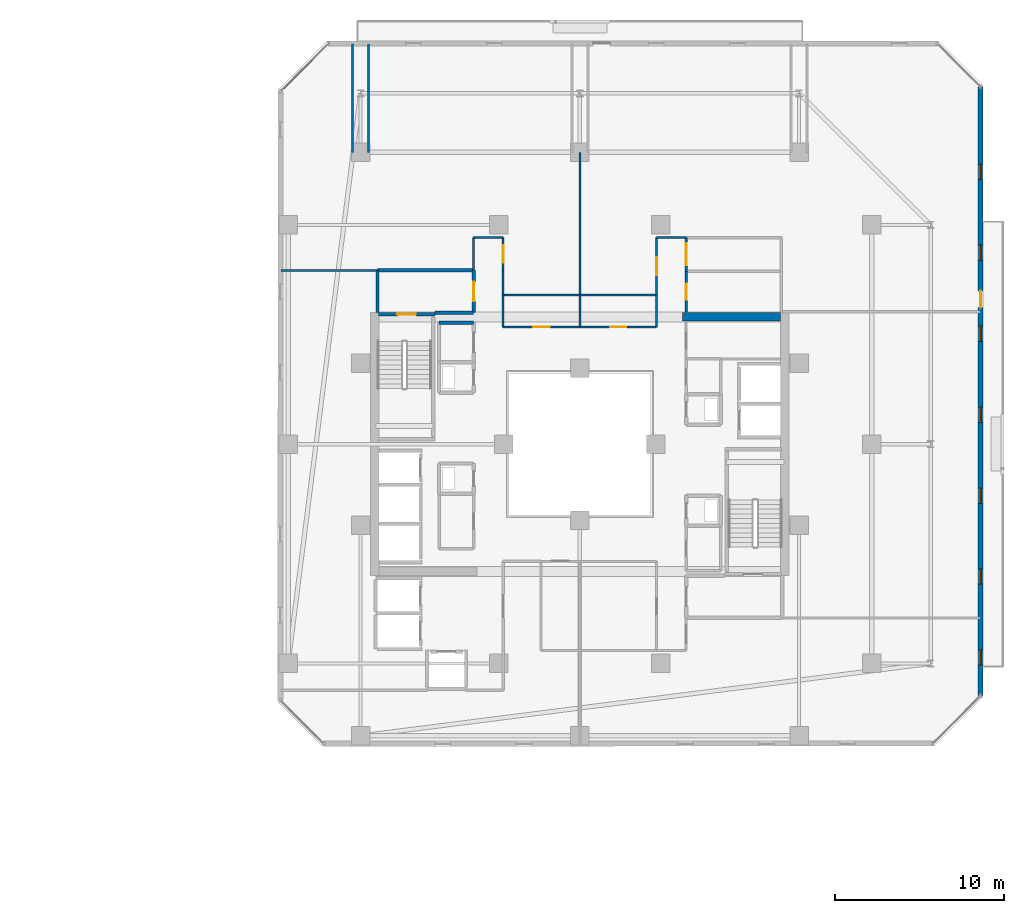
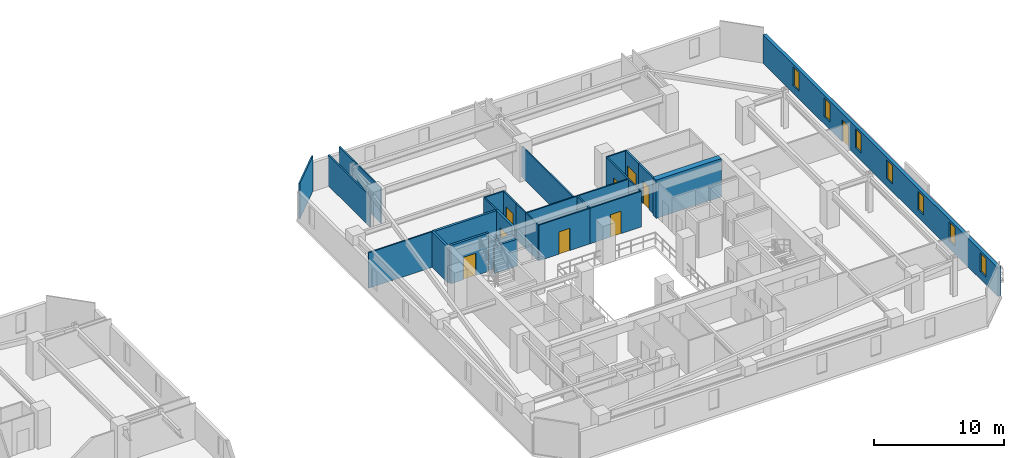
# One storey, part 25 of 33: 28 walls, 9 doors, 7 windows, 16 openings.
"""IFC4 building model written with IfcOpenShell, lengths in metres."""

from ifc_helpers import new_model, si_unit, direction, frame, frame_2d, origin, place, context, subcontext, project, spatial, rectangle, extrude, material, layer, layer_set, type_object, element, fill, save


model = new_model("IFC4")

# Units and contexts
model_context = context("Model", 3, precision=1e-05, world=origin(), true_north=direction((0.0, 1.0)))
body_context = subcontext(model_context, "Body", "Model", "MODEL_VIEW")
ifc_project = project(units=[si_unit("LENGTHUNIT", "METRE"), si_unit("AREAUNIT", "SQUARE_METRE"), si_unit("VOLUMEUNIT", "CUBIC_METRE"), si_unit("PLANEANGLEUNIT", "RADIAN"), si_unit("MASSUNIT", "GRAM", prefix="KILO")], contexts=[model_context])

# Site, building, storey
site_placement = place(None, origin())
site = spatial("IfcSite", under=ifc_project, at=site_placement, CompositionType="ELEMENT")
building_placement = place(site_placement, origin())
building = spatial("IfcBuilding", under=site, at=building_placement, Name="Thornwick Lancets Civic Towers", CompositionType="ELEMENT")
storey_placement = place(building_placement, frame((0.0, 0.0, 167.10009765625)))
storey = spatial("IfcBuildingStorey", under=building, at=storey_placement, Name="L44", CompositionType="ELEMENT", Elevation=167.10009765625)

# Wall
ifc_material_1 = material(Name="Concrete blockwork C40/50", Category="masonry")
ifc_layer_1 = layer(ifc_material_1, 0.199951171875, Name="Concrete blockwork C40/50")
ifc_layer_set_1 = layer_set([ifc_layer_1], Name="Concrete blockwork C40/50")
wall_type_1 = type_object("IfcWallType", Name="WALL_COMP_200", PredefinedType="STANDARD", material=ifc_layer_set_1)
wall_1_placement = place(storey_placement, frame((79.89990234375, 34.800048828125, 0.0), z_axis=(0.0, 0.0, 1.0), x_axis=(1.0, 0.0, 0.0)))
element("IfcWall", 1, at=wall_1_placement, inside=storey, type_object=wall_type_1, Name="L44 Partition L44-B-FFLOB2 E1", PredefinedType="STANDARD", context=body_context, shape_type="SweptSolid", body=[
    extrude(rectangle(XDim=2.300048828125, YDim=0.199951171875, at=frame_2d((1.14990234375, 0.0))), origin(), (0.0, 0.0, 1.0), 2.544921875),
])

# Wall, opening, door
wall_2_placement = place(storey_placement, frame((82.199951171875, 34.800048828125, 0.0), z_axis=(0.0, 0.0, 1.0), x_axis=(0.0, 1.0, 0.0)))
wall_2 = element("IfcWall", 2, at=wall_2_placement, inside=storey, type_object=wall_type_1, Name="L44 Partition L44-B-FFLOB2 E2", PredefinedType="STANDARD", context=body_context, shape_type="SweptSolid", body=[
    extrude(rectangle(XDim=2.5, YDim=0.199951171875, at=frame_2d((1.25, 0.0))), origin(), (0.0, 0.0, 1.0), 3.33984375),
])
opening_1_placement = place(wall_2_placement, frame((0.675048828125, 0.0, 0.0)))
opening_1 = element("IfcOpeningElement", 3, at=opening_1_placement, cuts=wall_2, Name="Opening D-L44-1969", PredefinedType="OPENING", context=body_context, shape_type="SweptSolid", body=[
    extrude(rectangle(XDim=1.14990234375, YDim=2.10009765625, at=frame_2d((0.574951171875, 1.050048828125))), frame((0.0, 0.10986328125, 0.0), z_axis=(0.0, -1.0, 0.0), x_axis=(1.0, 0.0, 0.0)), (0.0, 0.0, 1.0), 0.219970703125),
])
ifc_material_2 = material(Name="Glazed fire-resisting steel", Category="steel")
door_type_1 = type_object("IfcDoorType", Name="DOOR_LOBBY_FD60", OperationType="NOTDEFINED", PredefinedType="DOOR", material=ifc_material_2)
door_1_placement = place(opening_1_placement, origin())
door_1 = element("IfcDoor", 4, at=door_1_placement, inside=storey, type_object=door_type_1, Name="L44 West Firefighting Lobby 2 Door", OperationType="SINGLE_SWING_RIGHT", OverallHeight=2.10009765625, OverallWidth=1.14990234375, PredefinedType="DOOR", context=body_context, shape_type="SweptSolid", body=[
    extrude(rectangle(XDim=1.14990234375, YDim=2.10009765625, at=frame_2d((0.574951171875, 1.050048828125))), frame((0.0, 0.02490234375, 0.0), z_axis=(0.0, -1.0, 0.0), x_axis=(1.0, 0.0, 0.0)), (0.0, 0.0, 1.0), 0.050048828125),
])
fill(opening_1, door_1)

# Walls
wall_3_placement = place(storey_placement, frame((82.199951171875, 37.300048828125, 0.0), z_axis=(0.0, 0.0, 1.0), x_axis=(-1.0, 0.0, 0.0)))
element("IfcWall", 5, at=wall_3_placement, inside=storey, type_object=wall_type_1, Name="L44 Partition L44-B-FFLOB2 E3", PredefinedType="STANDARD", context=body_context, shape_type="SweptSolid", body=[
    extrude(rectangle(XDim=5.699951171875, YDim=0.199951171875, at=frame_2d((2.85009765625, 0.0))), origin(), (0.0, 0.0, 1.0), 3.33984375),
])
wall_4_placement = place(storey_placement, frame((76.5, 37.300048828125, 0.0), z_axis=(0.0, 0.0, 1.0), x_axis=(0.0, -1.0, 0.0)))
element("IfcWall", 6, at=wall_4_placement, inside=storey, type_object=wall_type_1, Name="L44 Partition L44-B-FFLOB2 E4", PredefinedType="STANDARD", context=body_context, shape_type="SweptSolid", body=[
    extrude(rectangle(XDim=2.5, YDim=0.199951171875, at=frame_2d((1.25, 0.0))), origin(), (0.0, 0.0, 1.0), 3.33984375),
])
wall_5_placement = place(storey_placement, frame((80.14990234375, 34.199951171875, 0.0), z_axis=(0.0, 0.0, 1.0), x_axis=(1.0, 0.0, 0.0)))
element("IfcWall", 7, at=wall_5_placement, inside=storey, type_object=wall_type_1, Name="L44 Partition L44-B-STR E2", PredefinedType="STANDARD", context=body_context, shape_type="SweptSolid", body=[
    extrude(rectangle(XDim=2.050048828125, YDim=0.199951171875, at=frame_2d((1.02490234375, 0.0))), origin(), (0.0, 0.0, 1.0), 2.544921875),
])
ifc_material_3 = material(Name="Concrete C50/60", Category="concrete")
ifc_layer_2 = layer(ifc_material_3, 0.5, Name="Concrete C50/60")
ifc_layer_set_2 = layer_set([ifc_layer_2], Name="Concrete C50/60")
wall_type_2 = type_object("IfcWallType", Name="WALL_CORE_500", PredefinedType="SHEAR", material=ifc_layer_set_2)
wall_6_placement = place(storey_placement, frame((94.60009765625, 34.550048828125, 0.0), z_axis=(0.0, 0.0, 1.0), x_axis=(1.0, 0.0, 0.0)))
element("IfcWall", 8, at=wall_6_placement, inside=storey, type_object=wall_type_2, Name="L44 Split Core B1 Shear Wall N", PredefinedType="SHEAR", context=body_context, shape_type="SweptSolid", body=[
    extrude(rectangle(XDim=5.7998046875, YDim=0.5, at=frame_2d((2.89990234375, 0.0))), origin(), (0.0, 0.0, 1.0), 3.599853515625),
])

# Wall, openings, door, windows
ifc_material_4 = material(Name="Insulated russet terracotta rainscreen on concrete C40/50", Category="masonry")
ifc_layer_3 = layer(ifc_material_4, 0.300048828125, Name="Insulated russet terracotta rainscreen on concrete C40/50")
ifc_layer_set_3 = layer_set([ifc_layer_3], Name="Insulated russet terracotta rainscreen on concrete C40/50")
wall_type_3 = type_object("IfcWallType", Name="WALL_EXT_RUSSET_300", PredefinedType="STANDARD", material=ifc_layer_set_3)
wall_7_placement = place(storey_placement, frame((112.263671875, 12.094482421875, 0.0), z_axis=(0.0, 0.0, 1.0), x_axis=(2.7061402e-05, 0.999999999634, 0.0)))
wall_7 = element("IfcWall", 9, at=wall_7_placement, inside=storey, type_object=wall_type_3, Name="L44 Tower B Terracotta Facade Wall E2", PredefinedType="STANDARD", context=body_context, shape_type="SweptSolid", body=[
    extrude(rectangle(XDim=36.0869140625, YDim=0.300048828125, at=frame_2d((18.04345703125, 0.0))), origin(), (0.0, 0.0, 1.0), 2.699951171875),
])
opening_2_placement = place(wall_7_placement, frame((22.993408203125, 0.0, 0.0)))
opening_2 = element("IfcOpeningElement", 10, at=opening_2_placement, cuts=wall_7, Name="Opening D-BL-L44-BE", PredefinedType="OPENING", context=body_context, shape_type="SweptSolid", body=[
    extrude(rectangle(XDim=1.0, YDim=2.080078125, at=frame_2d((0.5, 1.0400390625))), frame((0.0, 0.16015625, 0.0), z_axis=(0.0, -1.0, 0.0), x_axis=(1.0, 0.0, 0.0)), (0.0, 0.0, 1.0), 0.320068359375),
])
opening_3_placement = place(wall_7_placement, frame((1.800048828125, 0.0, 0.719970703125)))
opening_3 = element("IfcOpeningElement", 11, at=opening_3_placement, cuts=wall_7, Name="Opening WL-01", PredefinedType="OPENING", context=body_context, shape_type="SweptSolid", body=[
    extrude(rectangle(XDim=0.89990234375, YDim=1.75, at=frame_2d((0.449951171875, 0.875))), frame((0.0, 0.16015625, 0.0), z_axis=(0.0, -1.0, 0.0), x_axis=(1.0, 0.0, 0.0)), (0.0, 0.0, 1.0), 0.320068359375),
])
opening_4_placement = place(wall_7_placement, frame((6.60009765625, 0.0, 0.719970703125)))
opening_4 = element("IfcOpeningElement", 12, at=opening_4_placement, cuts=wall_7, Name="Opening WL-01", PredefinedType="OPENING", context=body_context, shape_type="SweptSolid", body=[
    extrude(rectangle(XDim=0.89990234375, YDim=1.75, at=frame_2d((0.449951171875, 0.875))), frame((0.0, 0.16015625, 0.0), z_axis=(0.0, -1.0, 0.0), x_axis=(1.0, 0.0, 0.0)), (0.0, 0.0, 1.0), 0.320068359375),
])
opening_5_placement = place(wall_7_placement, frame((11.39990234375, 0.0, 0.719970703125)))
opening_5 = element("IfcOpeningElement", 13, at=opening_5_placement, cuts=wall_7, Name="Opening WL-01", PredefinedType="OPENING", context=body_context, shape_type="SweptSolid", body=[
    extrude(rectangle(XDim=0.89990234375, YDim=1.75, at=frame_2d((0.449951171875, 0.875))), frame((0.0, 0.16015625, 0.0), z_axis=(0.0, -1.0, 0.0), x_axis=(1.0, 0.0, 0.0)), (0.0, 0.0, 1.0), 0.320068359375),
])
opening_6_placement = place(wall_7_placement, frame((16.199951171875, 0.0, 0.719970703125)))
opening_6 = element("IfcOpeningElement", 14, at=opening_6_placement, cuts=wall_7, Name="Opening WL-01", PredefinedType="OPENING", context=body_context, shape_type="SweptSolid", body=[
    extrude(rectangle(XDim=0.89990234375, YDim=1.75, at=frame_2d((0.449951171875, 0.875))), frame((0.0, 0.16015625, 0.0), z_axis=(0.0, -1.0, 0.0), x_axis=(1.0, 0.0, 0.0)), (0.0, 0.0, 1.0), 0.320068359375),
])
opening_7_placement = place(wall_7_placement, frame((21.0, 0.0, 0.719970703125)))
opening_7 = element("IfcOpeningElement", 15, at=opening_7_placement, cuts=wall_7, Name="Opening WL-01", PredefinedType="OPENING", context=body_context, shape_type="SweptSolid", body=[
    extrude(rectangle(XDim=0.89990234375, YDim=1.75, at=frame_2d((0.449951171875, 0.875))), frame((0.0, 0.16015625, 0.0), z_axis=(0.0, -1.0, 0.0), x_axis=(1.0, 0.0, 0.0)), (0.0, 0.0, 1.0), 0.320068359375),
])
opening_8_placement = place(wall_7_placement, frame((25.800048828125, 0.0, 0.719970703125)))
opening_8 = element("IfcOpeningElement", 16, at=opening_8_placement, cuts=wall_7, Name="Opening WL-01", PredefinedType="OPENING", context=body_context, shape_type="SweptSolid", body=[
    extrude(rectangle(XDim=0.89990234375, YDim=1.75, at=frame_2d((0.449951171875, 0.875))), frame((0.0, 0.16015625, 0.0), z_axis=(0.0, -1.0, 0.0), x_axis=(1.0, 0.0, 0.0)), (0.0, 0.0, 1.0), 0.320068359375),
])
opening_9_placement = place(wall_7_placement, frame((30.60009765625, 0.0, 0.719970703125)))
opening_9 = element("IfcOpeningElement", 17, at=opening_9_placement, cuts=wall_7, Name="Opening WL-01", PredefinedType="OPENING", context=body_context, shape_type="SweptSolid", body=[
    extrude(rectangle(XDim=0.89990234375, YDim=1.75, at=frame_2d((0.449951171875, 0.875))), frame((0.0, 0.16015625, 0.0), z_axis=(0.0, -1.0, 0.0), x_axis=(1.0, 0.0, 0.0)), (0.0, 0.0, 1.0), 0.320068359375),
])
ifc_material_5 = material(Name="Thermally broken glazed loggia doorset")
door_type_2 = type_object("IfcDoorType", Name="DOOR_BALC_1000", OperationType="NOTDEFINED", PredefinedType="DOOR", material=ifc_material_5)
door_2_placement = place(opening_2_placement, origin())
door_2 = element("IfcDoor", 18, at=door_2_placement, inside=storey, type_object=door_type_2, Name="L44 Tower B Loggia Balcony Door E", OperationType="SINGLE_SWING_LEFT", OverallHeight=2.080078125, OverallWidth=1.0, PredefinedType="DOOR", context=body_context, shape_type="SweptSolid", body=[
    extrude(rectangle(XDim=1.0, YDim=2.080078125, at=frame_2d((0.5, 1.0400390625))), frame((0.0, 0.02490234375, 0.0), z_axis=(0.0, -1.0, 0.0), x_axis=(1.0, 0.0, 0.0)), (0.0, 0.0, 1.0), 0.050048828125),
])
fill(opening_2, door_2)
ifc_material_6 = material(Name="Clear low-e double glazing in bronze frame", Category="glass")
window_type = type_object("IfcWindowType", Name="WIN_LANCET_900", PartitioningType="SINGLE_PANEL", PredefinedType="WINDOW", material=ifc_material_6)
window_1_placement = place(opening_3_placement, origin())
window_1 = element("IfcWindow", 19, at=window_1_placement, inside=storey, type_object=window_type, Name="L44 Tower B Staggered Lancet Window E2-1", OverallHeight=1.75, OverallWidth=0.89990234375, PartitioningType="SINGLE_PANEL", PredefinedType="WINDOW", context=body_context, shape_type="SweptSolid", body=[
    extrude(rectangle(XDim=0.89990234375, YDim=1.75, at=frame_2d((0.449951171875, 0.875))), frame((0.0, 0.030029296875, 0.0), z_axis=(0.0, -1.0, 0.0), x_axis=(1.0, 0.0, 0.0)), (0.0, 0.0, 1.0), 0.06005859375),
])
fill(opening_3, window_1)
window_2_placement = place(opening_4_placement, origin())
window_2 = element("IfcWindow", 20, at=window_2_placement, inside=storey, type_object=window_type, Name="L44 Tower B Staggered Lancet Window E2-2", OverallHeight=1.75, OverallWidth=0.89990234375, PartitioningType="SINGLE_PANEL", PredefinedType="WINDOW", context=body_context, shape_type="SweptSolid", body=[
    extrude(rectangle(XDim=0.89990234375, YDim=1.75, at=frame_2d((0.449951171875, 0.875))), frame((0.0, 0.030029296875, 0.0), z_axis=(0.0, -1.0, 0.0), x_axis=(1.0, 0.0, 0.0)), (0.0, 0.0, 1.0), 0.06005859375),
])
fill(opening_4, window_2)
window_3_placement = place(opening_5_placement, origin())
window_3 = element("IfcWindow", 21, at=window_3_placement, inside=storey, type_object=window_type, Name="L44 Tower B Staggered Lancet Window E2-3", OverallHeight=1.75, OverallWidth=0.89990234375, PartitioningType="SINGLE_PANEL", PredefinedType="WINDOW", context=body_context, shape_type="SweptSolid", body=[
    extrude(rectangle(XDim=0.89990234375, YDim=1.75, at=frame_2d((0.449951171875, 0.875))), frame((0.0, 0.030029296875, 0.0), z_axis=(0.0, -1.0, 0.0), x_axis=(1.0, 0.0, 0.0)), (0.0, 0.0, 1.0), 0.06005859375),
])
fill(opening_5, window_3)
window_4_placement = place(opening_6_placement, origin())
window_4 = element("IfcWindow", 22, at=window_4_placement, inside=storey, type_object=window_type, Name="L44 Tower B Staggered Lancet Window E2-4", OverallHeight=1.75, OverallWidth=0.89990234375, PartitioningType="SINGLE_PANEL", PredefinedType="WINDOW", context=body_context, shape_type="SweptSolid", body=[
    extrude(rectangle(XDim=0.89990234375, YDim=1.75, at=frame_2d((0.449951171875, 0.875))), frame((0.0, 0.030029296875, 0.0), z_axis=(0.0, -1.0, 0.0), x_axis=(1.0, 0.0, 0.0)), (0.0, 0.0, 1.0), 0.06005859375),
])
fill(opening_6, window_4)
window_5_placement = place(opening_7_placement, origin())
window_5 = element("IfcWindow", 23, at=window_5_placement, inside=storey, type_object=window_type, Name="L44 Tower B Staggered Lancet Window E2-5", OverallHeight=1.75, OverallWidth=0.89990234375, PartitioningType="SINGLE_PANEL", PredefinedType="WINDOW", context=body_context, shape_type="SweptSolid", body=[
    extrude(rectangle(XDim=0.89990234375, YDim=1.75, at=frame_2d((0.449951171875, 0.875))), frame((0.0, 0.030029296875, 0.0), z_axis=(0.0, -1.0, 0.0), x_axis=(1.0, 0.0, 0.0)), (0.0, 0.0, 1.0), 0.06005859375),
])
fill(opening_7, window_5)
window_6_placement = place(opening_8_placement, origin())
window_6 = element("IfcWindow", 24, at=window_6_placement, inside=storey, type_object=window_type, Name="L44 Tower B Staggered Lancet Window E2-6", OverallHeight=1.75, OverallWidth=0.89990234375, PartitioningType="SINGLE_PANEL", PredefinedType="WINDOW", context=body_context, shape_type="SweptSolid", body=[
    extrude(rectangle(XDim=0.89990234375, YDim=1.75, at=frame_2d((0.449951171875, 0.875))), frame((0.0, 0.030029296875, 0.0), z_axis=(0.0, -1.0, 0.0), x_axis=(1.0, 0.0, 0.0)), (0.0, 0.0, 1.0), 0.06005859375),
])
fill(opening_8, window_6)
window_7_placement = place(opening_9_placement, origin())
window_7 = element("IfcWindow", 25, at=window_7_placement, inside=storey, type_object=window_type, Name="L44 Tower B Staggered Lancet Window E2-7", OverallHeight=1.75, OverallWidth=0.89990234375, PartitioningType="SINGLE_PANEL", PredefinedType="WINDOW", context=body_context, shape_type="SweptSolid", body=[
    extrude(rectangle(XDim=0.89990234375, YDim=1.75, at=frame_2d((0.449951171875, 0.875))), frame((0.0, 0.030029296875, 0.0), z_axis=(0.0, -1.0, 0.0), x_axis=(1.0, 0.0, 0.0)), (0.0, 0.0, 1.0), 0.06005859375),
])
fill(opening_9, window_7)

# Walls
ifc_material_7 = material(Name="Acoustic gypsum board partition")
ifc_layer_4 = layer(ifc_material_7, 0.1201171875, Name="Acoustic gypsum board partition")
ifc_layer_set_4 = layer_set([ifc_layer_4], Name="Acoustic gypsum board partition")
wall_type_4 = type_object("IfcWallType", Name="WALL_PART_120", PredefinedType="PARTITIONING", material=ifc_layer_set_4)
wall_8_placement = place(storey_placement, frame((88.5, 33.949951171875, 0.0), z_axis=(0.0, 0.0, 1.0), x_axis=(0.0, 1.0, 0.0)))
element("IfcWall", 26, at=wall_8_placement, inside=storey, type_object=wall_type_4, Name="L44 Partition L44-B-E1 E1", PredefinedType="PARTITIONING", context=body_context, shape_type="SweptSolid", body=[
    extrude(rectangle(XDim=1.900146484375, YDim=0.1201171875, at=frame_2d((0.9501953125, 0.0))), origin(), (0.0, 0.0, 1.0), 3.33984375),
])
wall_9_placement = place(storey_placement, frame((88.5, 35.85009765625, 0.0), z_axis=(0.0, 0.0, 1.0), x_axis=(1.0, 0.0, 0.0)))
element("IfcWall", 27, at=wall_9_placement, inside=storey, type_object=wall_type_4, Name="L44 Partition L44-B-E1 E2", PredefinedType="PARTITIONING", context=body_context, shape_type="SweptSolid", body=[
    extrude(rectangle(XDim=4.550048828125, YDim=0.1201171875, at=frame_2d((2.27490234375, 0.0))), origin(), (0.0, 0.0, 1.0), 3.33984375),
])
wall_10_placement = place(storey_placement, frame((93.050048828125, 35.85009765625, 0.0), z_axis=(0.0, 0.0, 1.0), x_axis=(0.0, -1.0, 0.0)))
element("IfcWall", 28, at=wall_10_placement, inside=storey, type_object=wall_type_4, Name="L44 Partition L44-B-E1 E3", PredefinedType="PARTITIONING", context=body_context, shape_type="SweptSolid", body=[
    extrude(rectangle(XDim=1.900146484375, YDim=0.1201171875, at=frame_2d((0.9501953125, 0.0))), origin(), (0.0, 0.0, 1.0), 3.33984375),
])

# Wall, opening, door
wall_11_placement = place(storey_placement, frame((93.050048828125, 33.949951171875, 0.0), z_axis=(0.0, 0.0, 1.0), x_axis=(-1.0, 0.0, 0.0)))
wall_11 = element("IfcWall", 29, at=wall_11_placement, inside=storey, type_object=wall_type_4, Name="L44 Partition L44-B-E1 E4", PredefinedType="PARTITIONING", context=body_context, shape_type="SweptSolid", body=[
    extrude(rectangle(XDim=4.550048828125, YDim=0.1201171875, at=frame_2d((2.27490234375, 0.0))), origin(), (0.0, 0.0, 1.0), 3.33984375),
])
opening_10_placement = place(wall_11_placement, frame((1.800048828125, 0.0, 0.0)))
opening_10 = element("IfcOpeningElement", 30, at=opening_10_placement, cuts=wall_11, Name="Opening D-L44-1995", PredefinedType="OPENING", context=body_context, shape_type="SweptSolid", body=[
    extrude(rectangle(XDim=0.949951171875, YDim=2.10009765625, at=frame_2d((0.47509765625, 1.050048828125))), frame((0.0, 0.070068359375, 0.0), z_axis=(0.0, -1.0, 0.0), x_axis=(1.0, 0.0, 0.0)), (0.0, 0.0, 1.0), 0.14013671875),
])
ifc_material_8 = material(Name="European oak acoustic doorset")
door_type_3 = type_object("IfcDoorType", Name="DOOR_OFFICE_950", OperationType="NOTDEFINED", PredefinedType="DOOR", material=ifc_material_8)
door_3_placement = place(opening_10_placement, origin())
door_3 = element("IfcDoor", 31, at=door_3_placement, inside=storey, type_object=door_type_3, Name="L44 Tower B Visitors Reception and Waiting Door", OperationType="SINGLE_SWING_RIGHT", OverallHeight=2.10009765625, OverallWidth=0.949951171875, PredefinedType="DOOR", context=body_context, shape_type="SweptSolid", body=[
    extrude(rectangle(XDim=0.949951171875, YDim=2.10009765625, at=frame_2d((0.47509765625, 1.050048828125))), frame((0.0, 0.02490234375, 0.0), z_axis=(0.0, -1.0, 0.0), x_axis=(1.0, 0.0, 0.0)), (0.0, 0.0, 1.0), 0.050048828125),
])
fill(opening_10, door_3)

# Wall
wall_12_placement = place(storey_placement, frame((94.800048828125, 39.25, 0.0), z_axis=(0.0, 0.0, 1.0), x_axis=(-1.0, 0.0, 0.0)))
element("IfcWall", 32, at=wall_12_placement, inside=storey, type_object=wall_type_4, Name="L44 Partition L44-B-E2 E4", PredefinedType="PARTITIONING", context=body_context, shape_type="SweptSolid", body=[
    extrude(rectangle(XDim=1.75, YDim=0.1201171875, at=frame_2d((0.875, 0.0))), origin(), (0.0, 0.0, 1.0), 3.33984375),
])

# Wall, opening, door
wall_13_placement = place(storey_placement, frame((93.050048828125, 39.25, 0.0), z_axis=(0.0, 0.0, 1.0), x_axis=(0.0, -1.0, 0.0)))
wall_13 = element("IfcWall", 33, at=wall_13_placement, inside=storey, type_object=wall_type_4, Name="L44 Partition L44-B-E2 E5", PredefinedType="PARTITIONING", context=body_context, shape_type="SweptSolid", body=[
    extrude(rectangle(XDim=3.39990234375, YDim=0.1201171875, at=frame_2d((1.699951171875, 0.0))), origin(), (0.0, 0.0, 1.0), 3.33984375),
])
opening_11_placement = place(wall_13_placement, frame((1.175048828125, 0.0, 0.0)))
opening_11 = element("IfcOpeningElement", 34, at=opening_11_placement, cuts=wall_13, Name="Opening D-L44-1996", PredefinedType="OPENING", context=body_context, shape_type="SweptSolid", body=[
    extrude(rectangle(XDim=1.050048828125, YDim=2.10009765625, at=frame_2d((0.52490234375, 1.050048828125))), frame((0.0, 0.070068359375, 0.0), z_axis=(0.0, -1.0, 0.0), x_axis=(1.0, 0.0, 0.0)), (0.0, 0.0, 1.0), 0.14013671875),
])
ifc_material_9 = material(Name="Glazed European oak executive doorset")
door_type_4 = type_object("IfcDoorType", Name="DOOR_OFFICE_1050", OperationType="NOTDEFINED", PredefinedType="DOOR", material=ifc_material_9)
door_4_placement = place(opening_11_placement, origin())
door_4 = element("IfcDoor", 35, at=door_4_placement, inside=storey, type_object=door_type_4, Name="L44 Tower B Secretariat Open Office E1 Door", OperationType="SINGLE_SWING_LEFT", OverallHeight=2.10009765625, OverallWidth=1.050048828125, PredefinedType="DOOR", context=body_context, shape_type="SweptSolid", body=[
    extrude(rectangle(XDim=1.050048828125, YDim=2.10009765625, at=frame_2d((0.52490234375, 1.050048828125))), frame((0.0, 0.02490234375, 0.0), z_axis=(0.0, -1.0, 0.0), x_axis=(1.0, 0.0, 0.0)), (0.0, 0.0, 1.0), 0.050048828125),
])
fill(opening_11, door_4)

# Walls
wall_14_placement = place(storey_placement, frame((88.5, 35.85009765625, 0.0), z_axis=(0.0, 0.0, 1.0), x_axis=(0.0, 1.0, 0.0)))
element("IfcWall", 36, at=wall_14_placement, inside=storey, type_object=wall_type_4, Name="L44 Partition L44-B-E2 E7", PredefinedType="PARTITIONING", context=body_context, shape_type="SweptSolid", body=[
    extrude(rectangle(XDim=8.449951171875, YDim=0.1201171875, at=frame_2d((4.22509765625, 0.0))), origin(), (0.0, 0.0, 1.0), 2.881591796875),
])
wall_15_placement = place(storey_placement, frame((83.949951171875, 33.949951171875, 0.0), z_axis=(0.0, 0.0, 1.0), x_axis=(0.0, 1.0, 0.0)))
element("IfcWall", 37, at=wall_15_placement, inside=storey, type_object=wall_type_4, Name="L44 Partition L44-B-E3 E1", PredefinedType="PARTITIONING", context=body_context, shape_type="SweptSolid", body=[
    extrude(rectangle(XDim=1.900146484375, YDim=0.1201171875, at=frame_2d((0.9501953125, 0.0))), origin(), (0.0, 0.0, 1.0), 3.33984375),
])
wall_16_placement = place(storey_placement, frame((83.949951171875, 35.85009765625, 0.0), z_axis=(0.0, 0.0, 1.0), x_axis=(1.0, 0.0, 0.0)))
element("IfcWall", 38, at=wall_16_placement, inside=storey, type_object=wall_type_4, Name="L44 Partition L44-B-E3 E2", PredefinedType="PARTITIONING", context=body_context, shape_type="SweptSolid", body=[
    extrude(rectangle(XDim=4.550048828125, YDim=0.1201171875, at=frame_2d((2.27490234375, 0.0))), origin(), (0.0, 0.0, 1.0), 3.33984375),
])

# Wall, opening, door
wall_17_placement = place(storey_placement, frame((88.5, 33.949951171875, 0.0), z_axis=(0.0, 0.0, 1.0), x_axis=(-1.0, 0.0, 0.0)))
wall_17 = element("IfcWall", 39, at=wall_17_placement, inside=storey, type_object=wall_type_4, Name="L44 Partition L44-B-E3 E4", PredefinedType="PARTITIONING", context=body_context, shape_type="SweptSolid", body=[
    extrude(rectangle(XDim=4.550048828125, YDim=0.1201171875, at=frame_2d((2.27490234375, 0.0))), origin(), (0.0, 0.0, 1.0), 3.33984375),
])
opening_12_placement = place(wall_17_placement, frame((1.800048828125, 0.0, 0.0)))
opening_12 = element("IfcOpeningElement", 40, at=opening_12_placement, cuts=wall_17, Name="Opening D-L44-1997", PredefinedType="OPENING", context=body_context, shape_type="SweptSolid", body=[
    extrude(rectangle(XDim=0.949951171875, YDim=2.10009765625, at=frame_2d((0.47509765625, 1.050048828125))), frame((0.0, 0.070068359375, 0.0), z_axis=(0.0, -1.0, 0.0), x_axis=(1.0, 0.0, 0.0)), (0.0, 0.0, 1.0), 0.14013671875),
])
door_5_placement = place(opening_12_placement, origin())
door_5 = element("IfcDoor", 41, at=door_5_placement, inside=storey, type_object=door_type_3, Name="L44 Tower B Civic Seminar Room Door", OperationType="SINGLE_SWING_RIGHT", OverallHeight=2.10009765625, OverallWidth=0.949951171875, PredefinedType="DOOR", context=body_context, shape_type="SweptSolid", body=[
    extrude(rectangle(XDim=0.949951171875, YDim=2.10009765625, at=frame_2d((0.47509765625, 1.050048828125))), frame((0.0, 0.02490234375, 0.0), z_axis=(0.0, -1.0, 0.0), x_axis=(1.0, 0.0, 0.0)), (0.0, 0.0, 1.0), 0.050048828125),
])
fill(opening_12, door_5)

# Wall
wall_18_placement = place(storey_placement, frame((83.949951171875, 35.85009765625, 0.0), z_axis=(0.0, 0.0, 1.0), x_axis=(0.0, 1.0, 0.0)))
element("IfcWall", 42, at=wall_18_placement, inside=storey, type_object=wall_type_4, Name="L44 Partition L44-B-E4 E1", PredefinedType="PARTITIONING", context=body_context, shape_type="SweptSolid", body=[
    extrude(rectangle(XDim=1.449951171875, YDim=0.1201171875, at=frame_2d((0.72509765625, 0.0))), origin(), (0.0, 0.0, 1.0), 3.33984375),
])

# Wall, opening, door
wall_19_placement = place(storey_placement, frame((83.949951171875, 37.300048828125, 0.0), z_axis=(0.0, 0.0, 1.0), x_axis=(0.0, 1.0, 0.0)))
wall_19 = element("IfcWall", 43, at=wall_19_placement, inside=storey, type_object=wall_type_4, Name="L44 Partition L44-B-E4 E2", PredefinedType="PARTITIONING", context=body_context, shape_type="SweptSolid", body=[
    extrude(rectangle(XDim=1.949951171875, YDim=0.1201171875, at=frame_2d((0.97509765625, 0.0))), origin(), (0.0, 0.0, 1.0), 3.33984375),
])
opening_13_placement = place(wall_19_placement, frame((0.449951171875, 0.0, 0.0)))
opening_13 = element("IfcOpeningElement", 44, at=opening_13_placement, cuts=wall_19, Name="Opening D-L44-1998", PredefinedType="OPENING", context=body_context, shape_type="SweptSolid", body=[
    extrude(rectangle(XDim=1.050048828125, YDim=2.10009765625, at=frame_2d((0.52490234375, 1.050048828125))), frame((0.0, 0.070068359375, 0.0), z_axis=(0.0, -1.0, 0.0), x_axis=(1.0, 0.0, 0.0)), (0.0, 0.0, 1.0), 0.14013671875),
])
door_6_placement = place(opening_13_placement, origin())
door_6 = element("IfcDoor", 45, at=door_6_placement, inside=storey, type_object=door_type_4, Name="L44 Tower B Counsel Chambers Office E4 Door", OperationType="SINGLE_SWING_LEFT", OverallHeight=2.10009765625, OverallWidth=1.050048828125, PredefinedType="DOOR", context=body_context, shape_type="SweptSolid", body=[
    extrude(rectangle(XDim=1.050048828125, YDim=2.10009765625, at=frame_2d((0.52490234375, 1.050048828125))), frame((0.0, 0.02490234375, 0.0), z_axis=(0.0, -1.0, 0.0), x_axis=(1.0, 0.0, 0.0)), (0.0, 0.0, 1.0), 0.050048828125),
])
fill(opening_13, door_6)

# Walls
wall_20_placement = place(storey_placement, frame((83.949951171875, 39.25, 0.0), z_axis=(0.0, 0.0, 1.0), x_axis=(-1.0, 0.0, 0.0)))
element("IfcWall", 46, at=wall_20_placement, inside=storey, type_object=wall_type_4, Name="L44 Partition L44-B-E4 E3", PredefinedType="PARTITIONING", context=body_context, shape_type="SweptSolid", body=[
    extrude(rectangle(XDim=1.75, YDim=0.1201171875, at=frame_2d((0.875, 0.0))), origin(), (0.0, 0.0, 1.0), 3.33984375),
])
wall_21_placement = place(storey_placement, frame((82.199951171875, 39.25, 0.0), z_axis=(0.0, 0.0, 1.0), x_axis=(0.0, -1.0, 0.0)))
element("IfcWall", 47, at=wall_21_placement, inside=storey, type_object=wall_type_4, Name="L44 Partition L44-B-E4 E4", PredefinedType="PARTITIONING", context=body_context, shape_type="SweptSolid", body=[
    extrude(rectangle(XDim=1.949951171875, YDim=0.1201171875, at=frame_2d((0.97509765625, 0.0))), origin(), (0.0, 0.0, 1.0), 3.33984375),
])
wall_22_placement = place(storey_placement, frame((76.5, 37.300048828125, 0.0), z_axis=(0.0, 0.0, 1.0), x_axis=(-1.0, 0.0, 0.0)))
element("IfcWall", 48, at=wall_22_placement, inside=storey, type_object=wall_type_4, Name="L44 Partition L44-B-E4 E6", PredefinedType="PARTITIONING", context=body_context, shape_type="SweptSolid", body=[
    extrude(rectangle(XDim=5.719970703125, YDim=0.1201171875, at=frame_2d((2.85986328125, 0.0))), origin(), (0.0, 0.0, 1.0), 3.33984375),
])
wall_23_placement = place(storey_placement, frame((70.780029296875, 47.948486328125, 0.0), z_axis=(0.0, 0.0, 1.0), x_axis=(0.707106781187, 0.707106781187, 0.0)))
element("IfcWall", 49, at=wall_23_placement, inside=storey, type_object=wall_type_4, Name="L44 Partition L44-B-E4 E12", PredefinedType="PARTITIONING", context=body_context, shape_type="SweptSolid", body=[
    extrude(rectangle(XDim=3.91943359375, YDim=0.1201171875, at=frame_2d((1.959716796875, 0.0))), origin(), (0.0, 0.0, 1.0), 3.33984375),
])
wall_24_placement = place(storey_placement, frame((75.02001953125, 50.719970703125, 0.0), z_axis=(0.0, 0.0, 1.0), x_axis=(0.0, -1.0, 0.0)))
element("IfcWall", 50, at=wall_24_placement, inside=storey, type_object=wall_type_4, Name="L44 Partition L44-B-E4 E14", PredefinedType="PARTITIONING", context=body_context, shape_type="SweptSolid", body=[
    extrude(rectangle(XDim=6.419921875, YDim=0.1201171875, at=frame_2d((3.2099609375, 0.0))), origin(), (0.0, 0.0, 1.0), 2.89501953125),
])
wall_25_placement = place(storey_placement, frame((75.97998046875, 44.300048828125, 0.0), z_axis=(0.0, 0.0, 1.0), x_axis=(0.0, 1.0, 0.0)))
element("IfcWall", 51, at=wall_25_placement, inside=storey, type_object=wall_type_4, Name="L44 Partition L44-B-E4 E16", PredefinedType="PARTITIONING", context=body_context, shape_type="SweptSolid", body=[
    extrude(rectangle(XDim=6.419921875, YDim=0.1201171875, at=frame_2d((3.2099609375, 0.0))), origin(), (0.0, 0.0, 1.0), 3.33984375),
])

# Wall, opening, door
ifc_material_10 = material(Name="Twin-stud acoustic gypsum board")
ifc_layer_5 = layer(ifc_material_10, 0.14990234375, Name="Twin-stud acoustic gypsum board")
ifc_layer_set_5 = layer_set([ifc_layer_5], Name="Twin-stud acoustic gypsum board")
wall_type_5 = type_object("IfcWallType", Name="WALL_PART_150", PredefinedType="PARTITIONING", material=ifc_layer_set_5)
wall_26_placement = place(storey_placement, frame((94.800048828125, 34.85009765625, 0.0), z_axis=(0.0, 0.0, 1.0), x_axis=(0.0, 1.0, 0.0)))
wall_26 = element("IfcWall", 52, at=wall_26_placement, inside=storey, type_object=wall_type_5, Name="L44 Partition L44-B-RECLAIM-L1 E3", PredefinedType="PARTITIONING", context=body_context, shape_type="SweptSolid", body=[
    extrude(rectangle(XDim=2.39990234375, YDim=0.14990234375, at=frame_2d((1.199951171875, 0.0))), origin(), (0.0, 0.0, 1.0), 3.33984375),
])
opening_14_placement = place(wall_26_placement, frame((0.72509765625, 0.0, 0.0)))
opening_14 = element("IfcOpeningElement", 53, at=opening_14_placement, cuts=wall_26, Name="Opening D-L44-1989", PredefinedType="OPENING", context=body_context, shape_type="SweptSolid", body=[
    extrude(rectangle(XDim=0.949951171875, YDim=2.10009765625, at=frame_2d((0.47509765625, 1.050048828125))), frame((0.0, 0.0849609375, 0.0), z_axis=(0.0, -1.0, 0.0), x_axis=(1.0, 0.0, 0.0)), (0.0, 0.0, 1.0), 0.169921875),
])
door_7_placement = place(opening_14_placement, origin())
door_7 = element("IfcDoor", 54, at=door_7_placement, inside=storey, type_object=door_type_3, Name="L44 Tower B Policy Archive Door", OperationType="SINGLE_SWING_RIGHT", OverallHeight=2.10009765625, OverallWidth=0.949951171875, PredefinedType="DOOR", context=body_context, shape_type="SweptSolid", body=[
    extrude(rectangle(XDim=0.949951171875, YDim=2.10009765625, at=frame_2d((0.47509765625, 1.050048828125))), frame((0.0, 0.02490234375, 0.0), z_axis=(0.0, -1.0, 0.0), x_axis=(1.0, 0.0, 0.0)), (0.0, 0.0, 1.0), 0.050048828125),
])
fill(opening_14, door_7)

wall_27_placement = place(storey_placement, frame((94.800048828125, 37.25, 0.0), z_axis=(0.0, 0.0, 1.0), x_axis=(0.0, 1.0, 0.0)))
wall_27 = element("IfcWall", 55, at=wall_27_placement, inside=storey, type_object=wall_type_5, Name="L44 Partition L44-B-RECLAIM-L2 E1", PredefinedType="PARTITIONING", context=body_context, shape_type="SweptSolid", body=[
    extrude(rectangle(XDim=2.0, YDim=0.14990234375, at=frame_2d((1.0, 0.0))), origin(), (0.0, 0.0, 1.0), 3.33984375),
])
opening_15_placement = place(wall_27_placement, frame((0.35009765625, 0.0, 0.0)))
opening_15 = element("IfcOpeningElement", 56, at=opening_15_placement, cuts=wall_27, Name="Opening D-L44-1990", PredefinedType="OPENING", context=body_context, shape_type="SweptSolid", body=[
    extrude(rectangle(XDim=1.300048828125, YDim=2.1201171875, at=frame_2d((0.64990234375, 1.06005859375))), frame((0.0, 0.0849609375, 0.0), z_axis=(0.0, -1.0, 0.0), x_axis=(1.0, 0.0, 0.0)), (0.0, 0.0, 1.0), 0.169921875),
])
ifc_material_11 = material(Name="Acoustic oak leaf-and-a-half doorset")
door_type_5 = type_object("IfcDoorType", Name="DOOR_MEET_1300", OperationType="DOUBLE_DOOR_SINGLE_SWING", PredefinedType="DOOR", material=ifc_material_11)
door_8_placement = place(opening_15_placement, origin())
door_8 = element("IfcDoor", 57, at=door_8_placement, inside=storey, type_object=door_type_5, Name="L44 Tower B Ministerial Consultation Room Door", OperationType="DOUBLE_DOOR_SINGLE_SWING", OverallHeight=2.1201171875, OverallWidth=1.300048828125, PredefinedType="DOOR", context=body_context, shape_type="SweptSolid", body=[
    extrude(rectangle(XDim=1.300048828125, YDim=2.1201171875, at=frame_2d((0.64990234375, 1.06005859375))), frame((0.0, 0.02490234375, 0.0), z_axis=(0.0, -1.0, 0.0), x_axis=(1.0, 0.0, 0.0)), (0.0, 0.0, 1.0), 0.050048828125),
])
fill(opening_15, door_8)

ifc_material_12 = material(Name="Concrete C40/50", Category="concrete")
ifc_layer_6 = layer(ifc_material_12, 0.199951171875, Name="Concrete C40/50")
ifc_layer_set_6 = layer_set([ifc_layer_6], Name="Concrete C40/50")
wall_type_6 = type_object("IfcWallType", Name="WALL_SHAFT_200", PredefinedType="SHEAR", material=ifc_layer_set_6)
wall_28_placement = place(storey_placement, frame((76.550048828125, 34.699951171875, 0.0), z_axis=(0.0, 0.0, 1.0), x_axis=(1.0, 0.0, 0.0)))
wall_28 = element("IfcWall", 58, at=wall_28_placement, inside=storey, type_object=wall_type_6, Name="L44 ST-B2 Fire Stair Core Wall NEAR", PredefinedType="SHEAR", context=body_context, shape_type="SweptSolid", body=[
    extrude(rectangle(XDim=3.349853515625, YDim=0.199951171875, at=frame_2d((1.6748046875, 0.0))), origin(), (0.0, 0.0, 1.0), 3.599853515625),
])
opening_16_placement = place(wall_28_placement, frame((1.125, 0.0, 0.0)))
opening_16 = element("IfcOpeningElement", 59, at=opening_16_placement, cuts=wall_28, Name="Opening D-ST-B2-L44", PredefinedType="OPENING", context=body_context, shape_type="SweptSolid", body=[
    extrude(rectangle(XDim=1.10009765625, YDim=2.10009765625, at=frame_2d((0.550048828125, 1.050048828125))), frame((0.0, 0.10986328125, 0.0), z_axis=(0.0, -1.0, 0.0), x_axis=(1.0, 0.0, 0.0)), (0.0, 0.0, 1.0), 0.219970703125),
])
ifc_material_13 = material(Name="Fire-resisting steel and hardwood", Category="steel")
door_type_6 = type_object("IfcDoorType", Name="DOOR_STAIR_FD60", OperationType="NOTDEFINED", PredefinedType="DOOR", material=ifc_material_13)
door_9_placement = place(opening_16_placement, origin())
door_9 = element("IfcDoor", 60, at=door_9_placement, inside=storey, type_object=door_type_6, Name="L44 ST-B2 Exit Stair Door", OperationType="SINGLE_SWING_LEFT", OverallHeight=2.10009765625, OverallWidth=1.10009765625, PredefinedType="DOOR", context=body_context, shape_type="SweptSolid", body=[
    extrude(rectangle(XDim=1.10009765625, YDim=2.10009765625, at=frame_2d((0.550048828125, 1.050048828125))), frame((0.0, 0.02490234375, 0.0), z_axis=(0.0, -1.0, 0.0), x_axis=(1.0, 0.0, 0.0)), (0.0, 0.0, 1.0), 0.050048828125),
])
fill(opening_16, door_9)

save(model, "model.ifc")
